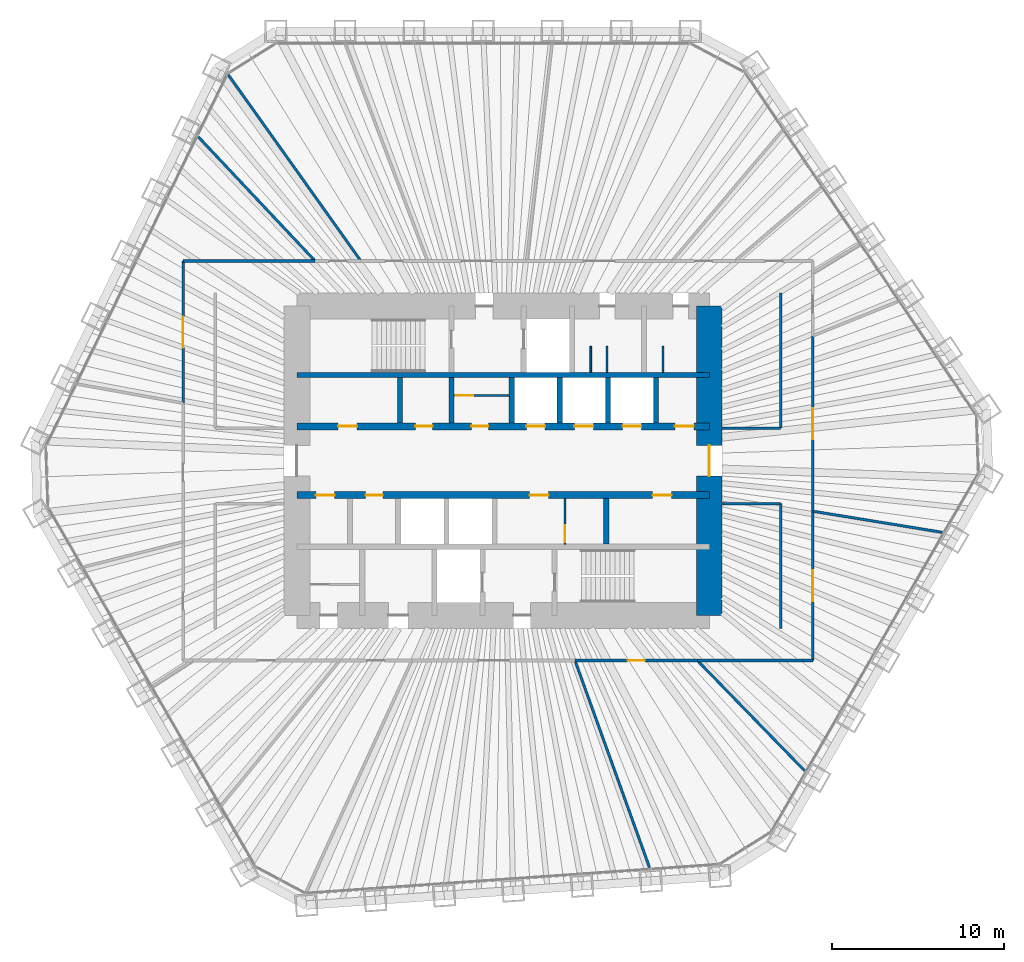
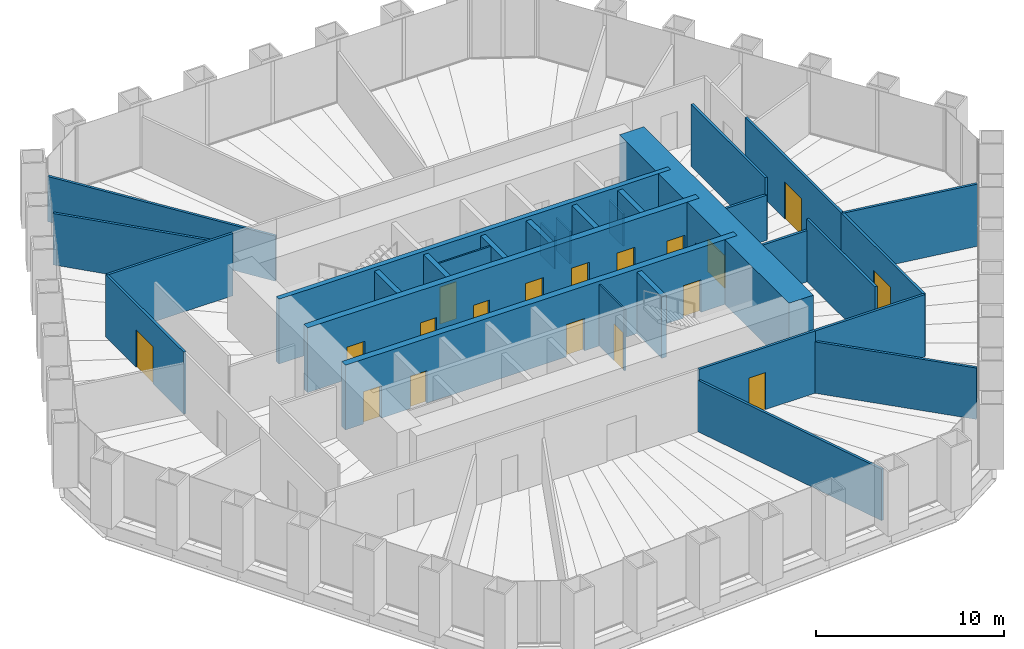
# One storey, part 11 of 13: 31 walls, 18 doors, 18 openings.
"""IFC4 building model written with IfcOpenShell, lengths in metres."""

from ifc_helpers import new_model, si_unit, direction, frame, frame_2d, origin, place, context, subcontext, project, spatial, rectangle, extrude, material, layer, layer_set, type_object, element, fill, save


model = new_model("IFC4")

# Units and contexts
model_context = context("Model", 3, precision=1e-05, world=origin(), true_north=direction((0.0, 1.0)))
body_context = subcontext(model_context, "Body", "Model", "MODEL_VIEW")
ifc_project = project(units=[si_unit("LENGTHUNIT", "METRE"), si_unit("AREAUNIT", "SQUARE_METRE"), si_unit("VOLUMEUNIT", "CUBIC_METRE"), si_unit("PLANEANGLEUNIT", "RADIAN"), si_unit("MASSUNIT", "GRAM", prefix="KILO")], contexts=[model_context])

# Site, building, storey
site_placement = place(None, origin())
site = spatial("IfcSite", under=ifc_project, at=site_placement, CompositionType="ELEMENT")
building_placement = place(site_placement, origin())
building = spatial("IfcBuilding", under=site, at=building_placement, Name="Qingtian Harvest Tower", CompositionType="ELEMENT")
storey_placement = place(building_placement, frame((0.0, 0.0, 157.60009765625)))
storey = spatial("IfcBuildingStorey", under=building, at=storey_placement, Name="L33", CompositionType="ELEMENT", Elevation=157.60009765625)

# Wall
ifc_material_1 = material(Name="Concrete fc' 70 MPa", Category="concrete")
ifc_layer_1 = layer(ifc_material_1, 0.300048828125)
ifc_layer_set_1 = layer_set([ifc_layer_1], Name="Core inner wall RC5 300")
wall_type_1 = type_object("IfcWallType", Name="Core inner wall RC5 300", PredefinedType="SHEAR", material=ifc_layer_set_1)
wall_1_placement = place(storey_placement, frame((-12.0, 5.0, 0.0), z_axis=(0.0, 0.0, 1.0), x_axis=(1.0, 0.0, 0.0)))
element("IfcWall", 1, at=wall_1_placement, inside=storey, type_object=wall_type_1, Name="Core wall IN5 L33", PredefinedType="SHEAR", context=body_context, shape_type="SweptSolid", body=[
    extrude(rectangle(XDim=24.0, YDim=0.300048828125, at=frame_2d((12.0, 0.0))), origin(), (0.0, 0.0, 1.0), 4.199951171875),
])

# Wall, openings, doors
ifc_material_2 = material(Name="Concrete fc' 70 MPa", Category="concrete")
ifc_layer_2 = layer(ifc_material_2, 0.39990234375)
ifc_layer_set_2 = layer_set([ifc_layer_2], Name="Core inner web RC6 400")
wall_type_2 = type_object("IfcWallType", Name="Core inner web RC6 400", PredefinedType="SHEAR", material=ifc_layer_set_2)
wall_2_placement = place(storey_placement, frame((-12.0, 2.0, 0.0), z_axis=(0.0, 0.0, 1.0), x_axis=(1.0, 0.0, 0.0)))
wall_2 = element("IfcWall", 2, at=wall_2_placement, inside=storey, type_object=wall_type_2, Name="Core wall IN2 L33", PredefinedType="SHEAR", context=body_context, shape_type="SweptSolid", body=[
    extrude(rectangle(XDim=24.0, YDim=0.39990234375, at=frame_2d((12.0, 0.0))), origin(), (0.0, 0.0, 1.0), 4.199951171875),
])
opening_1_placement = place(wall_2_placement, frame((2.39990234375, 0.0, 0.0)))
opening_1 = element("IfcOpeningElement", 3, at=opening_1_placement, cuts=wall_2, Name="Opening FD4", PredefinedType="OPENING", context=body_context, shape_type="SweptSolid", body=[
    extrude(rectangle(XDim=1.10009765625, YDim=2.10009765625, at=frame_2d((0.550048828125, 1.050048828125))), frame((0.0, 0.2099609375, 0.0), z_axis=(0.0, -1.0, 0.0), x_axis=(1.0, 0.0, 0.0)), (0.0, 0.0, 1.0), 0.419921875),
])
opening_2_placement = place(wall_2_placement, frame((22.0, 0.0, 0.0)))
opening_2 = element("IfcOpeningElement", 4, at=opening_2_placement, cuts=wall_2, Name="Opening FD4", PredefinedType="OPENING", context=body_context, shape_type="SweptSolid", body=[
    extrude(rectangle(XDim=1.10009765625, YDim=2.10009765625, at=frame_2d((0.550048828125, 1.050048828125))), frame((0.0, 0.2099609375, 0.0), z_axis=(0.0, -1.0, 0.0), x_axis=(1.0, 0.0, 0.0)), (0.0, 0.0, 1.0), 0.419921875),
])
opening_3_placement = place(wall_2_placement, frame((10.14990234375, 0.0, 0.0)))
opening_3 = element("IfcOpeningElement", 5, at=opening_3_placement, cuts=wall_2, Name="Opening FD1", PredefinedType="OPENING", context=body_context, shape_type="SweptSolid", body=[
    extrude(rectangle(XDim=1.0, YDim=2.10009765625, at=frame_2d((0.5, 1.050048828125))), frame((0.0, 0.2099609375, 0.0), z_axis=(0.0, -1.0, 0.0), x_axis=(1.0, 0.0, 0.0)), (0.0, 0.0, 1.0), 0.419921875),
])
opening_4_placement = place(wall_2_placement, frame((6.89990234375, 0.0, 0.0)))
opening_4 = element("IfcOpeningElement", 6, at=opening_4_placement, cuts=wall_2, Name="Opening FD1", PredefinedType="OPENING", context=body_context, shape_type="SweptSolid", body=[
    extrude(rectangle(XDim=1.0, YDim=2.10009765625, at=frame_2d((0.5, 1.050048828125))), frame((0.0, 0.2099609375, 0.0), z_axis=(0.0, -1.0, 0.0), x_axis=(1.0, 0.0, 0.0)), (0.0, 0.0, 1.0), 0.419921875),
])
opening_5_placement = place(wall_2_placement, frame((13.35009765625, 0.0, 0.0)))
opening_5 = element("IfcOpeningElement", 7, at=opening_5_placement, cuts=wall_2, Name="Opening LD1", PredefinedType="OPENING", context=body_context, shape_type="SweptSolid", body=[
    extrude(rectangle(XDim=1.10009765625, YDim=2.39990234375, at=frame_2d((0.550048828125, 1.199951171875))), frame((0.0, 0.2099609375, 0.0), z_axis=(0.0, -1.0, 0.0), x_axis=(1.0, 0.0, 0.0)), (0.0, 0.0, 1.0), 0.419921875),
])
opening_6_placement = place(wall_2_placement, frame((16.14990234375, 0.0, 0.0)))
opening_6 = element("IfcOpeningElement", 8, at=opening_6_placement, cuts=wall_2, Name="Opening LD1", PredefinedType="OPENING", context=body_context, shape_type="SweptSolid", body=[
    extrude(rectangle(XDim=1.10009765625, YDim=2.39990234375, at=frame_2d((0.550048828125, 1.199951171875))), frame((0.0, 0.2099609375, 0.0), z_axis=(0.0, -1.0, 0.0), x_axis=(1.0, 0.0, 0.0)), (0.0, 0.0, 1.0), 0.419921875),
])
opening_7_placement = place(wall_2_placement, frame((18.949951171875, 0.0, 0.0)))
opening_7 = element("IfcOpeningElement", 9, at=opening_7_placement, cuts=wall_2, Name="Opening LD1", PredefinedType="OPENING", context=body_context, shape_type="SweptSolid", body=[
    extrude(rectangle(XDim=1.10009765625, YDim=2.39990234375, at=frame_2d((0.550048828125, 1.199951171875))), frame((0.0, 0.2099609375, 0.0), z_axis=(0.0, -1.0, 0.0), x_axis=(1.0, 0.0, 0.0)), (0.0, 0.0, 1.0), 0.419921875),
])
ifc_material_3 = material(Name="Steel-faced door leaf", Category="steel")
door_type_1 = type_object("IfcDoorType", Name="Fire door FD1 single 1 HR", OperationType="SINGLE_SWING_LEFT", PredefinedType="DOOR", material=ifc_material_3)
door_1_placement = place(opening_3_placement, origin())
door_1 = element("IfcDoor", 10, at=door_1_placement, inside=storey, type_object=door_type_1, Name="STA door L33", OperationType="SINGLE_SWING_RIGHT", OverallHeight=2.10009765625, OverallWidth=1.0, PredefinedType="DOOR", context=body_context, shape_type="SweptSolid", body=[
    extrude(rectangle(XDim=1.0, YDim=2.10009765625, at=frame_2d((0.5, 1.050048828125))), frame((0.0, 0.02490234375, 0.0), z_axis=(0.0, -1.0, 0.0), x_axis=(1.0, 0.0, 0.0)), (0.0, 0.0, 1.0), 0.050048828125),
])
fill(opening_3, door_1)
door_2_placement = place(opening_4_placement, origin())
door_2 = element("IfcDoor", 11, at=door_2_placement, inside=storey, type_object=door_type_1, Name="IT room door L33", OperationType="SINGLE_SWING_LEFT", OverallHeight=2.10009765625, OverallWidth=1.0, PredefinedType="DOOR", context=body_context, shape_type="SweptSolid", body=[
    extrude(rectangle(XDim=1.0, YDim=2.10009765625, at=frame_2d((0.5, 1.050048828125))), frame((0.0, 0.02490234375, 0.0), z_axis=(0.0, -1.0, 0.0), x_axis=(1.0, 0.0, 0.0)), (0.0, 0.0, 1.0), 0.050048828125),
])
fill(opening_4, door_2)
ifc_material_4 = material(Name="Steel-faced door leaf", Category="steel")
door_type_2 = type_object("IfcDoorType", Name="Fire door FD4 single 2 HR", OperationType="SINGLE_SWING_LEFT", PredefinedType="DOOR", material=ifc_material_4)
door_3_placement = place(opening_1_placement, origin())
door_3 = element("IfcDoor", 12, at=door_3_placement, inside=storey, type_object=door_type_2, Name="RA door L33", OperationType="SINGLE_SWING_RIGHT", OverallHeight=2.10009765625, OverallWidth=1.10009765625, PredefinedType="DOOR", context=body_context, shape_type="SweptSolid", body=[
    extrude(rectangle(XDim=1.10009765625, YDim=2.10009765625, at=frame_2d((0.550048828125, 1.050048828125))), frame((0.0, 0.02490234375, 0.0), z_axis=(0.0, -1.0, 0.0), x_axis=(1.0, 0.0, 0.0)), (0.0, 0.0, 1.0), 0.050048828125),
])
fill(opening_1, door_3)
door_4_placement = place(opening_2_placement, origin())
door_4 = element("IfcDoor", 13, at=door_4_placement, inside=storey, type_object=door_type_2, Name="AHU door L33", OperationType="SINGLE_SWING_LEFT", OverallHeight=2.10009765625, OverallWidth=1.10009765625, PredefinedType="DOOR", context=body_context, shape_type="SweptSolid", body=[
    extrude(rectangle(XDim=1.10009765625, YDim=2.10009765625, at=frame_2d((0.550048828125, 1.050048828125))), frame((0.0, 0.02490234375, 0.0), z_axis=(0.0, -1.0, 0.0), x_axis=(1.0, 0.0, 0.0)), (0.0, 0.0, 1.0), 0.050048828125),
])
fill(opening_2, door_4)
ifc_material_5 = material(Name="Stainless steel lift landing door", Category="steel")
door_type_3 = type_object("IfcDoorType", Name="Lift landing door LD1 1 HR", OperationType="DOUBLE_DOOR_SLIDING", PredefinedType="DOOR", material=ifc_material_5)
door_5_placement = place(opening_5_placement, origin())
door_5 = element("IfcDoor", 14, at=door_5_placement, inside=storey, type_object=door_type_3, Name="PLB1 landing door L33", OperationType="DOUBLE_DOOR_SLIDING", OverallHeight=2.39990234375, OverallWidth=1.10009765625, PredefinedType="DOOR", context=body_context, shape_type="SweptSolid", body=[
    extrude(rectangle(XDim=1.10009765625, YDim=2.39990234375, at=frame_2d((0.550048828125, 1.199951171875))), frame((0.0, 0.02490234375, 0.0), z_axis=(0.0, -1.0, 0.0), x_axis=(1.0, 0.0, 0.0)), (0.0, 0.0, 1.0), 0.050048828125),
])
fill(opening_5, door_5)
door_6_placement = place(opening_6_placement, origin())
door_6 = element("IfcDoor", 15, at=door_6_placement, inside=storey, type_object=door_type_3, Name="PLB2 landing door L33", OperationType="DOUBLE_DOOR_SLIDING", OverallHeight=2.39990234375, OverallWidth=1.10009765625, PredefinedType="DOOR", context=body_context, shape_type="SweptSolid", body=[
    extrude(rectangle(XDim=1.10009765625, YDim=2.39990234375, at=frame_2d((0.550048828125, 1.199951171875))), frame((0.0, 0.02490234375, 0.0), z_axis=(0.0, -1.0, 0.0), x_axis=(1.0, 0.0, 0.0)), (0.0, 0.0, 1.0), 0.050048828125),
])
fill(opening_6, door_6)
door_7_placement = place(opening_7_placement, origin())
door_7 = element("IfcDoor", 16, at=door_7_placement, inside=storey, type_object=door_type_3, Name="PLB3 landing door L33", OperationType="DOUBLE_DOOR_SLIDING", OverallHeight=2.39990234375, OverallWidth=1.10009765625, PredefinedType="DOOR", context=body_context, shape_type="SweptSolid", body=[
    extrude(rectangle(XDim=1.10009765625, YDim=2.39990234375, at=frame_2d((0.550048828125, 1.199951171875))), frame((0.0, 0.02490234375, 0.0), z_axis=(0.0, -1.0, 0.0), x_axis=(1.0, 0.0, 0.0)), (0.0, 0.0, 1.0), 0.050048828125),
])
fill(opening_7, door_7)

wall_3_placement = place(storey_placement, frame((-12.0, -2.0, 0.0), z_axis=(0.0, 0.0, 1.0), x_axis=(1.0, 0.0, 0.0)))
wall_3 = element("IfcWall", 17, at=wall_3_placement, inside=storey, type_object=wall_type_2, Name="Core wall IS2 L33", PredefinedType="SHEAR", context=body_context, shape_type="SweptSolid", body=[
    extrude(rectangle(XDim=24.0, YDim=0.39990234375, at=frame_2d((12.0, 0.0))), origin(), (0.0, 0.0, 1.0), 4.199951171875),
])
opening_8_placement = place(wall_3_placement, frame((1.10009765625, 0.0, 0.0)))
opening_8 = element("IfcOpeningElement", 18, at=opening_8_placement, cuts=wall_3, Name="Opening FD4", PredefinedType="OPENING", context=body_context, shape_type="SweptSolid", body=[
    extrude(rectangle(XDim=1.10009765625, YDim=2.10009765625, at=frame_2d((0.550048828125, 1.050048828125))), frame((0.0, 0.2099609375, 0.0), z_axis=(0.0, -1.0, 0.0), x_axis=(1.0, 0.0, 0.0)), (0.0, 0.0, 1.0), 0.419921875),
])
opening_9_placement = place(wall_3_placement, frame((13.550048828125, 0.0, 0.0)))
opening_9 = element("IfcOpeningElement", 19, at=opening_9_placement, cuts=wall_3, Name="Opening FD4", PredefinedType="OPENING", context=body_context, shape_type="SweptSolid", body=[
    extrude(rectangle(XDim=1.10009765625, YDim=2.10009765625, at=frame_2d((0.550048828125, 1.050048828125))), frame((0.0, 0.2099609375, 0.0), z_axis=(0.0, -1.0, 0.0), x_axis=(1.0, 0.0, 0.0)), (0.0, 0.0, 1.0), 0.419921875),
])
opening_10_placement = place(wall_3_placement, frame((20.699951171875, 0.0, 0.0)))
opening_10 = element("IfcOpeningElement", 20, at=opening_10_placement, cuts=wall_3, Name="Opening FD4", PredefinedType="OPENING", context=body_context, shape_type="SweptSolid", body=[
    extrude(rectangle(XDim=1.10009765625, YDim=2.10009765625, at=frame_2d((0.550048828125, 1.050048828125))), frame((0.0, 0.2099609375, 0.0), z_axis=(0.0, -1.0, 0.0), x_axis=(1.0, 0.0, 0.0)), (0.0, 0.0, 1.0), 0.419921875),
])
opening_11_placement = place(wall_3_placement, frame((4.0, 0.0, 0.0)))
opening_11 = element("IfcOpeningElement", 21, at=opening_11_placement, cuts=wall_3, Name="Opening FD1", PredefinedType="OPENING", context=body_context, shape_type="SweptSolid", body=[
    extrude(rectangle(XDim=1.0, YDim=2.10009765625, at=frame_2d((0.5, 1.050048828125))), frame((0.0, 0.2099609375, 0.0), z_axis=(0.0, -1.0, 0.0), x_axis=(1.0, 0.0, 0.0)), (0.0, 0.0, 1.0), 0.419921875),
])
door_8_placement = place(opening_11_placement, origin())
door_8 = element("IfcDoor", 22, at=door_8_placement, inside=storey, type_object=door_type_1, Name="Store door L33", OperationType="SINGLE_SWING_LEFT", OverallHeight=2.10009765625, OverallWidth=1.0, PredefinedType="DOOR", context=body_context, shape_type="SweptSolid", body=[
    extrude(rectangle(XDim=1.0, YDim=2.10009765625, at=frame_2d((0.5, 1.050048828125))), frame((0.0, 0.02490234375, 0.0), z_axis=(0.0, -1.0, 0.0), x_axis=(1.0, 0.0, 0.0)), (0.0, 0.0, 1.0), 0.050048828125),
])
fill(opening_11, door_8)
door_9_placement = place(opening_8_placement, origin())
door_9 = element("IfcDoor", 23, at=door_9_placement, inside=storey, type_object=door_type_2, Name="RB door L33", OperationType="SINGLE_SWING_RIGHT", OverallHeight=2.10009765625, OverallWidth=1.10009765625, PredefinedType="DOOR", context=body_context, shape_type="SweptSolid", body=[
    extrude(rectangle(XDim=1.10009765625, YDim=2.10009765625, at=frame_2d((0.550048828125, 1.050048828125))), frame((0.0, 0.02490234375, 0.0), z_axis=(0.0, -1.0, 0.0), x_axis=(1.0, 0.0, 0.0)), (0.0, 0.0, 1.0), 0.050048828125),
])
fill(opening_8, door_9)
door_10_placement = place(opening_9_placement, origin())
door_10 = element("IfcDoor", 24, at=door_10_placement, inside=storey, type_object=door_type_2, Name="ELEC door L33", OperationType="SINGLE_SWING_LEFT", OverallHeight=2.10009765625, OverallWidth=1.10009765625, PredefinedType="DOOR", context=body_context, shape_type="SweptSolid", body=[
    extrude(rectangle(XDim=1.10009765625, YDim=2.10009765625, at=frame_2d((0.550048828125, 1.050048828125))), frame((0.0, 0.02490234375, 0.0), z_axis=(0.0, -1.0, 0.0), x_axis=(1.0, 0.0, 0.0)), (0.0, 0.0, 1.0), 0.050048828125),
])
fill(opening_9, door_10)
door_11_placement = place(opening_10_placement, origin())
door_11 = element("IfcDoor", 25, at=door_11_placement, inside=storey, type_object=door_type_2, Name="DUCT door L33", OperationType="SINGLE_SWING_RIGHT", OverallHeight=2.10009765625, OverallWidth=1.10009765625, PredefinedType="DOOR", context=body_context, shape_type="SweptSolid", body=[
    extrude(rectangle(XDim=1.10009765625, YDim=2.10009765625, at=frame_2d((0.550048828125, 1.050048828125))), frame((0.0, 0.02490234375, 0.0), z_axis=(0.0, -1.0, 0.0), x_axis=(1.0, 0.0, 0.0)), (0.0, 0.0, 1.0), 0.050048828125),
])
fill(opening_10, door_11)

# Walls
ifc_material_6 = material(Name="Precast concrete shaft panel", Category="concrete")
ifc_layer_3 = layer(ifc_material_6, 0.300048828125)
ifc_layer_set_3 = layer_set([ifc_layer_3], Name="Core shaft partition SW1 300")
wall_type_3 = type_object("IfcWallType", Name="Core shaft partition SW1 300", PredefinedType="PARTITIONING", material=ifc_layer_set_3)
for number, where, z_axis, x_axis, name in (
    (26, (-6.0, 2.199951171875, 0.0), (0.0, 0.0, 1.0), (0.0, 1.0, 0.0), "Core shaft partition XA1 L33"),
    (27, (-3.0, 2.199951171875, 0.0), (0.0, 0.0, 1.0), (0.0, 1.0, 0.0), "Core shaft partition XA2 L33"),
    (28, (0.5, 2.199951171875, 0.0), (0.0, 0.0, 1.0), (0.0, 1.0, 0.0), "Core shaft partition XA3 L33"),
    (29, (3.300048828125, 2.199951171875, 0.0), (0.0, 0.0, 1.0), (0.0, 1.0, 0.0), "Core shaft partition XA4 L33"),
    (30, (6.10009765625, 2.199951171875, 0.0), (0.0, 0.0, 1.0), (0.0, 1.0, 0.0), "Core shaft partition XA5 L33"),
    (31, (8.89990234375, 2.199951171875, 0.0), (0.0, 0.0, 1.0), (0.0, 1.0, 0.0), "Core shaft partition XA6 L33"),
    (32, (6.0, -4.85009765625, 0.0), (0.0, 0.0, 1.0), (0.0, 1.0, 0.0), "Core shaft partition XB5 L33"),
):
    element("IfcWall", number, at=place(storey_placement, frame(where, z_axis=z_axis, x_axis=x_axis)), inside=storey, type_object=wall_type_3, Name=name, PredefinedType="PARTITIONING", context=body_context, shape_type="SweptSolid", body=[
        extrude(rectangle(XDim=2.650146484375, YDim=0.300048828125, at=frame_2d((1.3251953125, 0.0))), origin(), (0.0, 0.0, 1.0), 3.97998046875),
    ])

# Wall, opening, door
ifc_material_7 = material(Name="Concrete fc' 70 MPa", Category="concrete")
ifc_layer_4 = layer(ifc_material_7, 1.5)
ifc_layer_set_4 = layer_set([ifc_layer_4], Name="Core wall RC1 1500")
wall_type_4 = type_object("IfcWallType", Name="Core wall RC1 1500", PredefinedType="SHEAR", material=ifc_layer_set_4)
wall_4_placement = place(storey_placement, frame((12.0, -9.0, 0.0), z_axis=(0.0, 0.0, 1.0), x_axis=(0.0, 1.0, 0.0)))
wall_4 = element("IfcWall", 33, at=wall_4_placement, inside=storey, type_object=wall_type_4, Name="Core wall CE L33", PredefinedType="SHEAR", context=body_context, shape_type="SweptSolid", body=[
    extrude(rectangle(XDim=18.0, YDim=1.5, at=frame_2d((9.0, 0.0))), origin(), (0.0, 0.0, 1.0), 4.199951171875),
])
opening_12_placement = place(wall_4_placement, frame((8.10009765625, 0.0, 0.0)))
opening_12 = element("IfcOpeningElement", 34, at=opening_12_placement, cuts=wall_4, Name="Opening FD2", PredefinedType="OPENING", context=body_context, shape_type="SweptSolid", body=[
    extrude(rectangle(XDim=1.800048828125, YDim=2.10009765625, at=frame_2d((0.89990234375, 1.050048828125))), frame((0.0, 0.760009765625, 0.0), z_axis=(0.0, -1.0, 0.0), x_axis=(1.0, 0.0, 0.0)), (0.0, 0.0, 1.0), 1.52001953125),
])
ifc_material_8 = material(Name="Steel-faced door leaf", Category="steel")
door_type_4 = type_object("IfcDoorType", Name="Fire door FD2 double 1 HR", OperationType="DOUBLE_DOOR_DOUBLE_SWING", PredefinedType="DOOR", material=ifc_material_8)
door_12_placement = place(opening_12_placement, origin())
door_12 = element("IfcDoor", 35, at=door_12_placement, inside=storey, type_object=door_type_4, Name="LOBBY-E door L33", OperationType="DOUBLE_DOOR_DOUBLE_SWING", OverallHeight=2.10009765625, OverallWidth=1.800048828125, PredefinedType="DOOR", context=body_context, shape_type="SweptSolid", body=[
    extrude(rectangle(XDim=1.800048828125, YDim=2.10009765625, at=frame_2d((0.89990234375, 1.050048828125))), frame((0.0, 0.02490234375, 0.0), z_axis=(0.0, -1.0, 0.0), x_axis=(1.0, 0.0, 0.0)), (0.0, 0.0, 1.0), 0.050048828125),
])
fill(opening_12, door_12)

ifc_material_9 = material(Name="Gypsum board on steel studs", Category="steel")
ifc_layer_5 = layer(ifc_material_9, 0.14990234375)
ifc_layer_set_5 = layer_set([ifc_layer_5], Name="Partition PT1 150")
wall_type_5 = type_object("IfcWallType", Name="Partition PT1 150", PredefinedType="PARTITIONING", material=ifc_layer_set_5)
wall_5_placement = place(storey_placement, frame((18.02490234375, 7.267333984375, 0.0), z_axis=(0.0, 0.0, 1.0), x_axis=(0.0, -1.0, 0.0)))
wall_5 = element("IfcWall", 36, at=wall_5_placement, inside=storey, type_object=wall_type_5, Name="Meeting room wall L33", PredefinedType="PARTITIONING", context=body_context, shape_type="SweptSolid", body=[
    extrude(rectangle(XDim=10.205322265625, YDim=0.14990234375, at=frame_2d((5.1025390625, 0.0))), origin(), (0.0, 0.0, 1.0), 4.02978515625),
])
opening_13_placement = place(wall_5_placement, frame((4.20263671875, 0.0, 0.0)))
opening_13 = element("IfcOpeningElement", 37, at=opening_13_placement, cuts=wall_5, Name="Opening D3", PredefinedType="OPENING", context=body_context, shape_type="SweptSolid", body=[
    extrude(rectangle(XDim=1.800048828125, YDim=2.39990234375, at=frame_2d((0.89990234375, 1.199951171875))), frame((0.0, 0.0849609375, 0.0), z_axis=(0.0, -1.0, 0.0), x_axis=(1.0, 0.0, 0.0)), (0.0, 0.0, 1.0), 0.169921875),
])
ifc_material_10 = material(Name="Laminated timber door leaf", Category="wood")
door_type_5 = type_object("IfcDoorType", Name="Room door D3 double", OperationType="DOUBLE_DOOR_DOUBLE_SWING", PredefinedType="DOOR", material=ifc_material_10)
door_13_placement = place(opening_13_placement, origin())
door_13 = element("IfcDoor", 38, at=door_13_placement, inside=storey, type_object=door_type_5, Name="Meeting room door L33", OperationType="DOUBLE_DOOR_DOUBLE_SWING", OverallHeight=2.39990234375, OverallWidth=1.800048828125, PredefinedType="DOOR", context=body_context, shape_type="SweptSolid", body=[
    extrude(rectangle(XDim=1.800048828125, YDim=2.39990234375, at=frame_2d((0.89990234375, 1.199951171875))), frame((0.0, 0.02490234375, 0.0), z_axis=(0.0, -1.0, 0.0), x_axis=(1.0, 0.0, 0.0)), (0.0, 0.0, 1.0), 0.050048828125),
])
fill(opening_13, door_13)

# Wall
wall_6_placement = place(storey_placement, frame((25.547119140625, -4.1640625, 0.0), z_axis=(0.0, 0.0, 1.0), x_axis=(-0.986975470567, 0.160870819291, 0.0)))
element("IfcWall", 39, at=wall_6_placement, inside=storey, type_object=wall_type_5, Name="Workplace zone wall L33", PredefinedType="PARTITIONING", context=body_context, shape_type="SweptSolid", body=[
    extrude(rectangle(XDim=7.62158203125, YDim=0.14990234375, at=frame_2d((3.810791015625, 0.0))), origin(), (0.0, 0.0, 1.0), 4.02978515625),
])

# Wall, opening, door
wall_7_placement = place(storey_placement, frame((18.02490234375, -2.93798828125, 0.0), z_axis=(0.0, 0.0, 1.0), x_axis=(0.0, -1.0, 0.0)))
wall_7 = element("IfcWall", 40, at=wall_7_placement, inside=storey, type_object=wall_type_5, Name="Workplace zone wall L33", PredefinedType="PARTITIONING", context=body_context, shape_type="SweptSolid", body=[
    extrude(rectangle(XDim=8.68701171875, YDim=0.14990234375, at=frame_2d((4.343505859375, 0.0))), origin(), (0.0, 0.0, 1.0), 4.02978515625),
])
opening_14_placement = place(wall_7_placement, frame((3.443359375, 0.0, 0.0)))
opening_14 = element("IfcOpeningElement", 41, at=opening_14_placement, cuts=wall_7, Name="Opening D3", PredefinedType="OPENING", context=body_context, shape_type="SweptSolid", body=[
    extrude(rectangle(XDim=1.800048828125, YDim=2.39990234375, at=frame_2d((0.89990234375, 1.199951171875))), frame((0.0, 0.0849609375, 0.0), z_axis=(0.0, -1.0, 0.0), x_axis=(1.0, 0.0, 0.0)), (0.0, 0.0, 1.0), 0.169921875),
])
door_14_placement = place(opening_14_placement, origin())
door_14 = element("IfcDoor", 42, at=door_14_placement, inside=storey, type_object=door_type_5, Name="Workplace zone door L33", OperationType="DOUBLE_DOOR_DOUBLE_SWING", OverallHeight=2.39990234375, OverallWidth=1.800048828125, PredefinedType="DOOR", context=body_context, shape_type="SweptSolid", body=[
    extrude(rectangle(XDim=1.800048828125, YDim=2.39990234375, at=frame_2d((0.89990234375, 1.199951171875))), frame((0.0, 0.02490234375, 0.0), z_axis=(0.0, -1.0, 0.0), x_axis=(1.0, 0.0, 0.0)), (0.0, 0.0, 1.0), 0.050048828125),
])
fill(opening_14, door_14)

# Walls
wall_8_placement = place(storey_placement, frame((18.02490234375, -11.625, 0.0), z_axis=(0.0, 0.0, 1.0), x_axis=(-1.0, 0.0, 0.0)))
element("IfcWall", 43, at=wall_8_placement, inside=storey, type_object=wall_type_5, Name="Workplace zone wall L33", PredefinedType="PARTITIONING", context=body_context, shape_type="SweptSolid", body=[
    extrude(rectangle(XDim=6.7177734375, YDim=0.14990234375, at=frame_2d((3.35888671875, 0.0))), origin(), (0.0, 0.0, 1.0), 4.02978515625),
])
wall_9_placement = place(storey_placement, frame((17.537841796875, -18.031005859375, 0.0), z_axis=(0.0, 0.0, 1.0), x_axis=(-0.697230918085, 0.716846599257, 0.0)))
element("IfcWall", 44, at=wall_9_placement, inside=storey, type_object=wall_type_5, Name="Focus room wall L33", PredefinedType="PARTITIONING", context=body_context, shape_type="SweptSolid", body=[
    extrude(rectangle(XDim=8.936279296875, YDim=0.14990234375, at=frame_2d((4.46826171875, 0.0))), origin(), (0.0, 0.0, 1.0), 3.329833984375),
])

# Wall, opening, door
wall_10_placement = place(storey_placement, frame((11.30712890625, -11.625, 0.0), z_axis=(0.0, 0.0, 1.0), x_axis=(-1.0, 0.0, 0.0)))
wall_10 = element("IfcWall", 45, at=wall_10_placement, inside=storey, type_object=wall_type_5, Name="Focus room wall L33", PredefinedType="PARTITIONING", context=body_context, shape_type="SweptSolid", body=[
    extrude(rectangle(XDim=7.123046875, YDim=0.14990234375, at=frame_2d((3.5615234375, 0.0))), origin(), (0.0, 0.0, 1.0), 4.02978515625),
])
opening_15_placement = place(wall_10_placement, frame((3.0615234375, 0.0, 0.0)))
opening_15 = element("IfcOpeningElement", 46, at=opening_15_placement, cuts=wall_10, Name="Opening D2", PredefinedType="OPENING", context=body_context, shape_type="SweptSolid", body=[
    extrude(rectangle(XDim=1.0, YDim=2.39990234375, at=frame_2d((0.5, 1.199951171875))), frame((0.0, 0.0849609375, 0.0), z_axis=(0.0, -1.0, 0.0), x_axis=(1.0, 0.0, 0.0)), (0.0, 0.0, 1.0), 0.169921875),
])
ifc_material_11 = material(Name="Laminated timber door leaf", Category="wood")
door_type_6 = type_object("IfcDoorType", Name="Room door D2 single", OperationType="SINGLE_SWING_LEFT", PredefinedType="DOOR", material=ifc_material_11)
door_15_placement = place(opening_15_placement, origin())
door_15 = element("IfcDoor", 47, at=door_15_placement, inside=storey, type_object=door_type_6, Name="Focus room door L33", OperationType="SINGLE_SWING_RIGHT", OverallHeight=2.39990234375, OverallWidth=1.0, PredefinedType="DOOR", context=body_context, shape_type="SweptSolid", body=[
    extrude(rectangle(XDim=1.0, YDim=2.39990234375, at=frame_2d((0.5, 1.199951171875))), frame((0.0, 0.02490234375, 0.0), z_axis=(0.0, -1.0, 0.0), x_axis=(1.0, 0.0, 0.0)), (0.0, 0.0, 1.0), 0.050048828125),
])
fill(opening_15, door_15)

# Wall
wall_11_placement = place(storey_placement, frame((8.51806640625, -23.667236328125, 0.0), z_axis=(0.0, 0.0, 1.0), x_axis=(-0.338635030469, 0.940917805198, 0.0)))
element("IfcWall", 48, at=wall_11_placement, inside=storey, type_object=wall_type_5, Name="Workplace zone wall L33", PredefinedType="PARTITIONING", context=body_context, shape_type="SweptSolid", body=[
    extrude(rectangle(XDim=12.79833984375, YDim=0.14990234375, at=frame_2d((6.399169921875, 0.0))), origin(), (0.0, 0.0, 1.0), 3.329833984375),
])

# Wall, opening, door
wall_12_placement = place(storey_placement, frame((-18.625, 3.35302734375, 0.0), z_axis=(0.0, 0.0, 1.0), x_axis=(0.0, 1.0, 0.0)))
wall_12 = element("IfcWall", 49, at=wall_12_placement, inside=storey, type_object=wall_type_5, Name="Workplace zone wall L33", PredefinedType="PARTITIONING", context=body_context, shape_type="SweptSolid", body=[
    extrude(rectangle(XDim=8.27197265625, YDim=0.14990234375, at=frame_2d((4.135986328125, 0.0))), origin(), (0.0, 0.0, 1.0), 4.02978515625),
])
opening_16_placement = place(wall_12_placement, frame((3.236083984375, 0.0, 0.0)))
opening_16 = element("IfcOpeningElement", 50, at=opening_16_placement, cuts=wall_12, Name="Opening D3", PredefinedType="OPENING", context=body_context, shape_type="SweptSolid", body=[
    extrude(rectangle(XDim=1.800048828125, YDim=2.39990234375, at=frame_2d((0.89990234375, 1.199951171875))), frame((0.0, 0.0849609375, 0.0), z_axis=(0.0, -1.0, 0.0), x_axis=(1.0, 0.0, 0.0)), (0.0, 0.0, 1.0), 0.169921875),
])
door_16_placement = place(opening_16_placement, origin())
door_16 = element("IfcDoor", 51, at=door_16_placement, inside=storey, type_object=door_type_5, Name="Workplace zone door L33", OperationType="DOUBLE_DOOR_DOUBLE_SWING", OverallHeight=2.39990234375, OverallWidth=1.800048828125, PredefinedType="DOOR", context=body_context, shape_type="SweptSolid", body=[
    extrude(rectangle(XDim=1.800048828125, YDim=2.39990234375, at=frame_2d((0.89990234375, 1.199951171875))), frame((0.0, 0.02490234375, 0.0), z_axis=(0.0, -1.0, 0.0), x_axis=(1.0, 0.0, 0.0)), (0.0, 0.0, 1.0), 0.050048828125),
])
fill(opening_16, door_16)

# Walls
wall_13_placement = place(storey_placement, frame((-18.625, 11.625, 0.0), z_axis=(0.0, 0.0, 1.0), x_axis=(1.0, 0.0, 0.0)))
element("IfcWall", 52, at=wall_13_placement, inside=storey, type_object=wall_type_5, Name="Workplace zone wall L33", PredefinedType="PARTITIONING", context=body_context, shape_type="SweptSolid", body=[
    extrude(rectangle(XDim=7.686279296875, YDim=0.14990234375, at=frame_2d((3.84326171875, 0.0))), origin(), (0.0, 0.0, 1.0), 4.02978515625),
])
wall_14_placement = place(storey_placement, frame((-17.738037109375, 18.850830078125, 0.0), z_axis=(0.0, 0.0, 1.0), x_axis=(0.685286406267, -0.728273672039, 0.0)))
element("IfcWall", 53, at=wall_14_placement, inside=storey, type_object=wall_type_5, Name="Meeting room wall L33", PredefinedType="PARTITIONING", context=body_context, shape_type="SweptSolid", body=[
    extrude(rectangle(XDim=9.921875, YDim=0.14990234375, at=frame_2d((4.9609375, 0.0))), origin(), (0.0, 0.0, 1.0), 3.329833984375),
])
wall_15_placement = place(storey_placement, frame((-15.986572265625, 22.45458984375, 0.0), z_axis=(0.0, 0.0, 1.0), x_axis=(0.579969304452, -0.814638328274, 0.0)))
element("IfcWall", 54, at=wall_15_placement, inside=storey, type_object=wall_type_5, Name="Private office wall L33", PredefinedType="PARTITIONING", context=body_context, shape_type="SweptSolid", body=[
    extrude(rectangle(XDim=13.293701171875, YDim=0.14990234375, at=frame_2d((6.64697265625, 0.0))), origin(), (0.0, 0.0, 1.0), 2.929931640625),
])
wall_16_placement = place(storey_placement, frame((16.14990234375, 1.89990234375, 0.0), z_axis=(0.0, 0.0, 1.0), x_axis=(0.0, 1.0, 0.0)))
element("IfcWall", 55, at=wall_16_placement, inside=storey, type_object=wall_type_5, Name="Breakout space wall L33", PredefinedType="PARTITIONING", context=body_context, shape_type="SweptSolid", body=[
    extrude(rectangle(XDim=7.85009765625, YDim=0.14990234375, at=frame_2d((3.925048828125, 0.0))), origin(), (0.0, 0.0, 1.0), 4.02978515625),
])
wall_17_placement = place(storey_placement, frame((12.75, 1.89990234375, 0.0), z_axis=(0.0, 0.0, 1.0), x_axis=(1.0, 0.0, 0.0)))
element("IfcWall", 56, at=wall_17_placement, inside=storey, type_object=wall_type_5, Name="Breakout space wall L33", PredefinedType="PARTITIONING", context=body_context, shape_type="SweptSolid", body=[
    extrude(rectangle(XDim=3.39990234375, YDim=0.14990234375, at=frame_2d((1.699951171875, 0.0))), origin(), (0.0, 0.0, 1.0), 2.929931640625),
])
wall_18_placement = place(storey_placement, frame((16.14990234375, -9.75, 0.0), z_axis=(0.0, 0.0, 1.0), x_axis=(0.0, 1.0, 0.0)))
element("IfcWall", 57, at=wall_18_placement, inside=storey, type_object=wall_type_5, Name="Print area wall L33", PredefinedType="PARTITIONING", context=body_context, shape_type="SweptSolid", body=[
    extrude(rectangle(XDim=7.25, YDim=0.14990234375, at=frame_2d((3.625, 0.0))), origin(), (0.0, 0.0, 1.0), 4.02978515625),
])
wall_19_placement = place(storey_placement, frame((12.75, -2.5, 0.0), z_axis=(0.0, 0.0, 1.0), x_axis=(1.0, 0.0, 0.0)))
element("IfcWall", 58, at=wall_19_placement, inside=storey, type_object=wall_type_5, Name="Print area wall L33", PredefinedType="PARTITIONING", context=body_context, shape_type="SweptSolid", body=[
    extrude(rectangle(XDim=3.39990234375, YDim=0.14990234375, at=frame_2d((1.699951171875, 0.0))), origin(), (0.0, 0.0, 1.0), 3.329833984375),
])

# Wall, opening, door
ifc_material_12 = material(Name="Concrete block partition", Category="concrete")
ifc_layer_6 = layer(ifc_material_12, 0.10009765625)
ifc_layer_set_6 = layer_set([ifc_layer_6], Name="Store partition PT3 100")
wall_type_6 = type_object("IfcWallType", Name="Store partition PT3 100", PredefinedType="PARTITIONING", material=ifc_layer_set_6)
wall_20_placement = place(storey_placement, frame((-2.85009765625, 3.800048828125, 0.0), z_axis=(0.0, 0.0, 1.0), x_axis=(1.0, 0.0, 0.0)))
wall_20 = element("IfcWall", 59, at=wall_20_placement, inside=storey, type_object=wall_type_6, Name="Archive store wall L33", PredefinedType="PARTITIONING", context=body_context, shape_type="SweptSolid", body=[
    extrude(rectangle(XDim=3.2001953125, YDim=0.10009765625, at=frame_2d((1.60009765625, 0.0))), origin(), (0.0, 0.0, 1.0), 3.97998046875),
])
opening_17_placement = place(wall_20_placement, frame((0.10009765625, 0.0, 0.0)))
opening_17 = element("IfcOpeningElement", 60, at=opening_17_placement, cuts=wall_20, Name="Opening D2", PredefinedType="OPENING", context=body_context, shape_type="SweptSolid", body=[
    extrude(rectangle(XDim=1.0, YDim=2.39990234375, at=frame_2d((0.5, 1.199951171875))), frame((0.0, 0.06005859375, 0.0), z_axis=(0.0, -1.0, 0.0), x_axis=(1.0, 0.0, 0.0)), (0.0, 0.0, 1.0), 0.1201171875),
])
door_17_placement = place(opening_17_placement, origin())
door_17 = element("IfcDoor", 61, at=door_17_placement, inside=storey, type_object=door_type_6, Name="Archive store door L33", OperationType="SINGLE_SWING_LEFT", OverallHeight=2.39990234375, OverallWidth=1.0, PredefinedType="DOOR", context=body_context, shape_type="SweptSolid", body=[
    extrude(rectangle(XDim=1.0, YDim=2.39990234375, at=frame_2d((0.5, 1.199951171875))), frame((0.0, 0.02490234375, 0.0), z_axis=(0.0, -1.0, 0.0), x_axis=(1.0, 0.0, 0.0)), (0.0, 0.0, 1.0), 0.050048828125),
])
fill(opening_17, door_17)

wall_21_placement = place(storey_placement, frame((3.60009765625, -4.85009765625, 0.0), z_axis=(0.0, 0.0, 1.0), x_axis=(0.0, 1.0, 0.0)))
wall_21 = element("IfcWall", 62, at=wall_21_placement, inside=storey, type_object=wall_type_6, Name="Comms room wall L33", PredefinedType="PARTITIONING", context=body_context, shape_type="SweptSolid", body=[
    extrude(rectangle(XDim=2.650146484375, YDim=0.10009765625, at=frame_2d((1.3251953125, 0.0))), origin(), (0.0, 0.0, 1.0), 3.97998046875),
])
opening_18_placement = place(wall_21_placement, frame((0.10009765625, 0.0, 0.0)))
opening_18 = element("IfcOpeningElement", 63, at=opening_18_placement, cuts=wall_21, Name="Opening D2", PredefinedType="OPENING", context=body_context, shape_type="SweptSolid", body=[
    extrude(rectangle(XDim=1.0, YDim=2.39990234375, at=frame_2d((0.5, 1.199951171875))), frame((0.0, 0.06005859375, 0.0), z_axis=(0.0, -1.0, 0.0), x_axis=(1.0, 0.0, 0.0)), (0.0, 0.0, 1.0), 0.1201171875),
])
door_18_placement = place(opening_18_placement, origin())
door_18 = element("IfcDoor", 64, at=door_18_placement, inside=storey, type_object=door_type_6, Name="Comms room door L33", OperationType="SINGLE_SWING_LEFT", OverallHeight=2.39990234375, OverallWidth=1.0, PredefinedType="DOOR", context=body_context, shape_type="SweptSolid", body=[
    extrude(rectangle(XDim=1.0, YDim=2.39990234375, at=frame_2d((0.5, 1.199951171875))), frame((0.0, 0.02490234375, 0.0), z_axis=(0.0, -1.0, 0.0), x_axis=(1.0, 0.0, 0.0)), (0.0, 0.0, 1.0), 0.050048828125),
])
fill(opening_18, door_18)

# Walls
ifc_material_13 = material(Name="Compact laminate cubicle partition", Category="plastic")
ifc_layer_7 = layer(ifc_material_13, 0.10009765625)
ifc_layer_set_7 = layer_set([ifc_layer_7], Name="WC cubicle partition WP1 100")
wall_type_7 = type_object("IfcWallType", Name="WC cubicle partition WP1 100", PredefinedType="PARTITIONING", material=ifc_layer_set_7)
for number, where, z_axis, x_axis, name in (
    (65, (5.10009765625, 5.14990234375, 0.0), (0.0, 0.0, 1.0), (0.0, 1.0, 0.0), "WC cubicle partition WCM L33"),
    (66, (6.050048828125, 5.14990234375, 0.0), (0.0, 0.0, 1.0), (0.0, 1.0, 0.0), "WC cubicle partition WCM L33"),
    (67, (9.300048828125, 5.14990234375, 0.0), (0.0, 0.0, 1.0), (0.0, 1.0, 0.0), "WC cubicle partition WCF L33"),
):
    element("IfcWall", number, at=place(storey_placement, frame(where, z_axis=z_axis, x_axis=x_axis)), inside=storey, type_object=wall_type_7, Name=name, PredefinedType="PARTITIONING", context=body_context, shape_type="SweptSolid", body=[
        extrude(rectangle(XDim=1.5, YDim=0.10009765625, at=frame_2d((0.75, 0.0))), origin(), (0.0, 0.0, 1.0), 2.099853515625),
    ])

save(model, "model.ifc")
